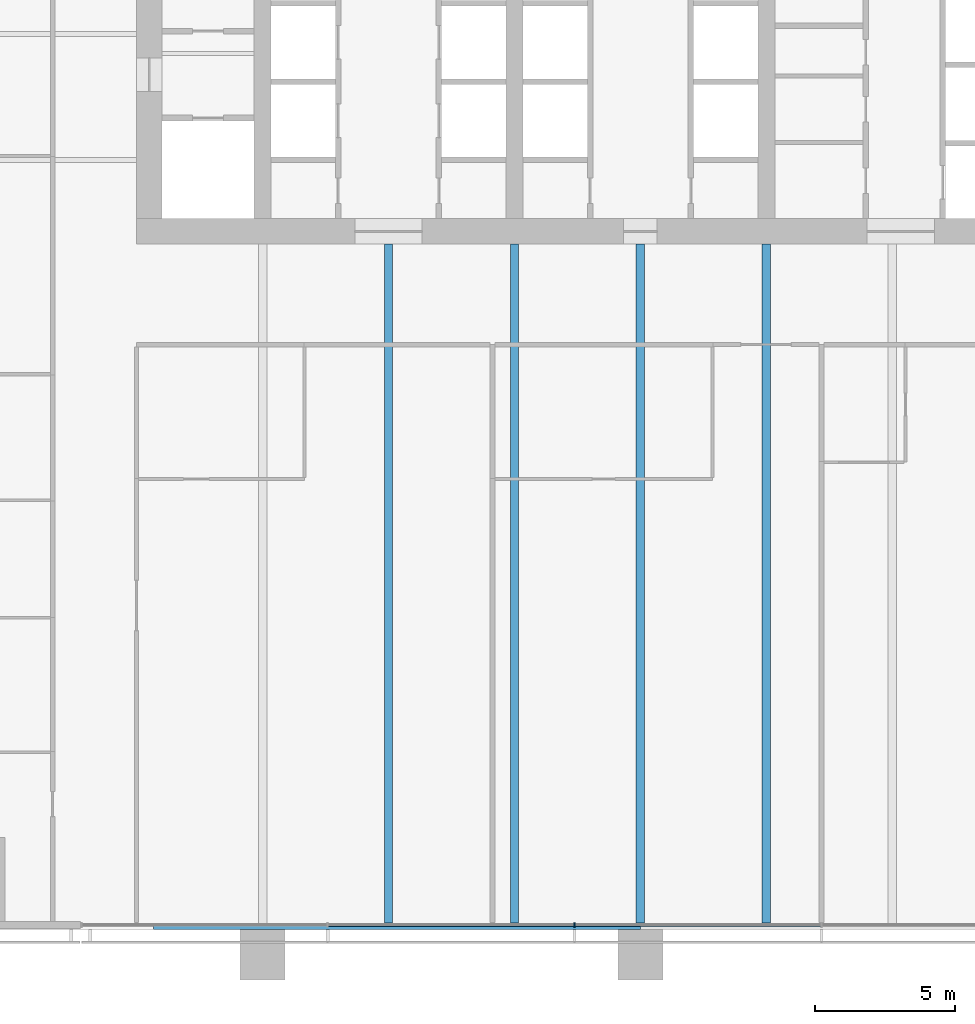
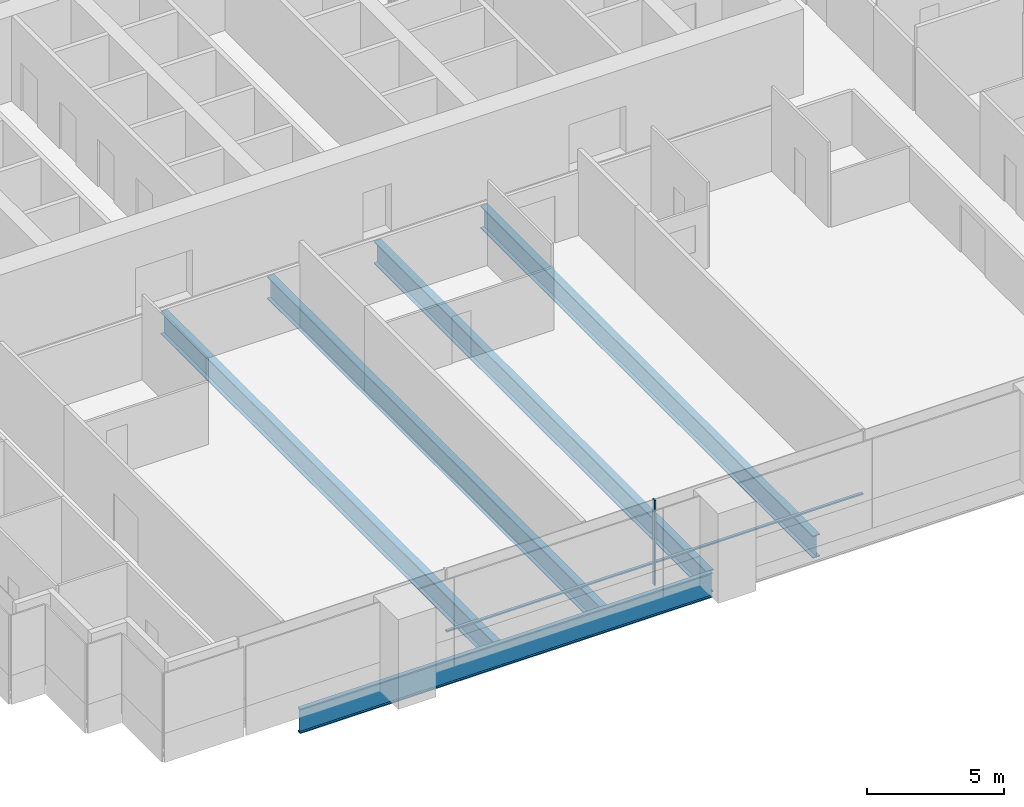
# One storey, part 3 of 19: 5 beams, 3 members, 1 element without a shape of its own.
"""IFC4 building model written with IfcOpenShell, lengths in metres."""

from ifc_helpers import new_model, si_unit, direction, frame, origin, origin_2d, place, context, subcontext, project, spatial, rectangle, i_section, extrude, material, material_profile, profile_set, type_object, element, aggregate, save


model = new_model("IFC4")

# Units and contexts
model_context = context("Model", 3, precision=1e-05, world=origin(), true_north=direction((0.0, 1.0)))
body_context = subcontext(model_context, "Body", "Model", "MODEL_VIEW")
ifc_project = project(units=[si_unit("LENGTHUNIT", "METRE"), si_unit("AREAUNIT", "SQUARE_METRE"), si_unit("VOLUMEUNIT", "CUBIC_METRE"), si_unit("PLANEANGLEUNIT", "RADIAN"), si_unit("MASSUNIT", "GRAM", prefix="KILO")], contexts=[model_context])

# Site, building, storey
site_placement = place(None, origin())
site = spatial("IfcSite", under=ifc_project, at=site_placement, CompositionType="ELEMENT")
building_placement = place(site_placement, origin())
building = spatial("IfcBuilding", under=site, at=building_placement, Name="Rattan Terrace Tower", CompositionType="ELEMENT")
storey_placement = place(building_placement, frame((0.0, 0.0, 111.699951171875)))
storey = spatial("IfcBuildingStorey", under=building, at=storey_placement, Name="L25", CompositionType="ELEMENT", Elevation=111.699951171875)

# Curtain wall, members
ifc_material_1 = material(Name="Aluminium and glass", Category="aluminium")
curtain_wall_type = type_object("IfcCurtainWallType", Name="Facade Unitised Curtain Wall", PredefinedType="NOTDEFINED", material=ifc_material_1)
curtain_wall_placement = place(storey_placement, origin())
curtain_wall = element("IfcCurtainWall", 1, at=curtain_wall_placement, inside=storey, type_object=curtain_wall_type, Name="Curtain wall L25-4", PredefinedType="NOTDEFINED")
ifc_material_2 = material(Name="Aluminium", Category="aluminium")
ifc_material_profile_1 = material_profile(ifc_material_2, rectangle(XDim=0.06005859375, YDim=0.159912109375, at=origin_2d()), Name="Aluminium 60x160")
ifc_profile_set_1 = profile_set([ifc_material_profile_1], Name="Aluminium")
member_type_1 = type_object("IfcMemberType", Name="Facade CW Mullion 60x160", PredefinedType="MULLION", material=ifc_profile_set_1)
member_1_placement = place(storey_placement, frame((-2.35400390625, -31.830078125, 0.0), z_axis=(0.0, 0.0, 1.0), x_axis=(1.0, 0.0, 0.0)))
member_1 = element("IfcMember", 2, at=member_1_placement, type_object=member_type_1, Name="Mullion cwl-L25-004.3", PredefinedType="MULLION", context=body_context, shape_type="SweptSolid", body=[
    extrude(rectangle(XDim=0.06005859375, YDim=0.159912109375, at=origin_2d()), origin(), (0.0, 0.0, 1.0), 3.800048828125),
])
ifc_material_3 = material(Name="Aluminium", Category="aluminium")
ifc_material_profile_2 = material_profile(ifc_material_3, rectangle(XDim=0.1201171875, YDim=0.06005859375, at=origin_2d()), Name="Aluminium 120x60")
ifc_profile_set_2 = profile_set([ifc_material_profile_2], Name="Aluminium")
member_type_2 = type_object("IfcMemberType", Name="Facade CW Transom 120x60", PredefinedType="USERDEFINED", material=ifc_profile_set_2)
member_2_placement = place(storey_placement, frame((-11.14697265625, -31.830078125, 1.0), z_axis=(1.0, 0.0, 0.0), x_axis=(0.0, 1.0, 0.0)))
member_2 = element("IfcMember", 3, at=member_2_placement, type_object=member_type_2, Name="Transom cwl-L25-004.2", ObjectType="TRANSOM", PredefinedType="USERDEFINED", context=body_context, shape_type="SweptSolid", body=[
    extrude(rectangle(XDim=0.1201171875, YDim=0.06005859375, at=origin_2d()), origin(), (0.0, 0.0, 1.0), 8.762939453125),
])
member_3_placement = place(storey_placement, frame((-2.323974609375, -31.830078125, 1.0), z_axis=(1.0, 0.0, 0.0), x_axis=(0.0, 1.0, 0.0)))
member_3 = element("IfcMember", 4, at=member_3_placement, type_object=member_type_2, Name="Transom cwl-L25-004.3", ObjectType="TRANSOM", PredefinedType="USERDEFINED", context=body_context, shape_type="SweptSolid", body=[
    extrude(rectangle(XDim=0.1201171875, YDim=0.06005859375, at=origin_2d()), origin(), (0.0, 0.0, 1.0), 8.762939453125),
])
aggregate(curtain_wall, [member_1, member_2, member_3])

# Beams
ifc_material_4 = material(Name="Steel S460", Category="steel")
ifc_material_profile_3 = material_profile(ifc_material_4, i_section(OverallWidth=0.179931640625, OverallDepth=1.10009765625, WebThickness=0.01611328125, FlangeThickness=0.050048828125, at=origin_2d()), Name="PG 1100x180-16-50")
ifc_profile_set_3 = profile_set([ifc_material_profile_3], Name="Steel S460")
beam_type_1 = type_object("IfcBeamType", Name="Frame edge girder PG 1100x180-16-50", PredefinedType="SPANDREL", material=ifc_profile_set_3)
beam_placement = place(storey_placement, frame((-17.39990234375, -31.909912109375, -0.75), z_axis=(1.0, 0.0, 0.0), x_axis=(0.0, 1.0, 0.0)))
element("IfcBeam", 5, at=beam_placement, inside=storey, type_object=beam_type_1, Name="gdr-L25-001", PredefinedType="SPANDREL", context=body_context, shape_type="SweptSolid", body=[
    extrude(i_section(OverallWidth=0.179931640625, OverallDepth=1.10009765625, WebThickness=0.01611328125, FlangeThickness=0.050048828125, at=origin_2d()), origin(), (0.0, 0.0, 1.0), 17.39990234375),
])
ifc_material_5 = material(Name="Steel S460", Category="steel")
ifc_material_profile_4 = material_profile(ifc_material_5, i_section(OverallWidth=0.300048828125, OverallDepth=1.0, WebThickness=0.013916015625, FlangeThickness=0.0400390625, at=origin_2d()), Name="PG 1000x300-14-40")
ifc_profile_set_4 = profile_set([ifc_material_profile_4], Name="Steel S460")
beam_type_2 = type_object("IfcBeamType", Name="Frame floor beam PG 1000x300-14-40", PredefinedType="JOIST", material=ifc_profile_set_4)
for number, where, z_axis, x_axis, name in (
    (6, (-9.0, -31.820068359375, -0.699951171875), (0.0, 1.0, 0.0), (-1.0, 0.0, 0.0), "bm-L25-004"),
    (7, (-4.5, -31.820068359375, -0.699951171875), (0.0, 1.0, 0.0), (-1.0, 0.0, 0.0), "bm-L25-005"),
    (8, (0.0, -31.820068359375, -0.699951171875), (0.0, 1.0, 0.0), (-1.0, 0.0, 0.0), "bm-L25-006"),
    (9, (4.5, -31.820068359375, -0.699951171875), (0.0, 1.0, 0.0), (-1.0, 0.0, 0.0), "bm-L25-007"),
):
    element("IfcBeam", number, at=place(storey_placement, frame(where, z_axis=z_axis, x_axis=x_axis)), inside=storey, type_object=beam_type_2, Name=name, PredefinedType="JOIST", context=body_context, shape_type="SweptSolid", body=[
        extrude(i_section(OverallWidth=0.300048828125, OverallDepth=1.0, WebThickness=0.013916015625, FlangeThickness=0.0400390625, at=origin_2d()), origin(), (0.0, 0.0, 1.0), 24.320068359375),
    ])

save(model, "model.ifc")
